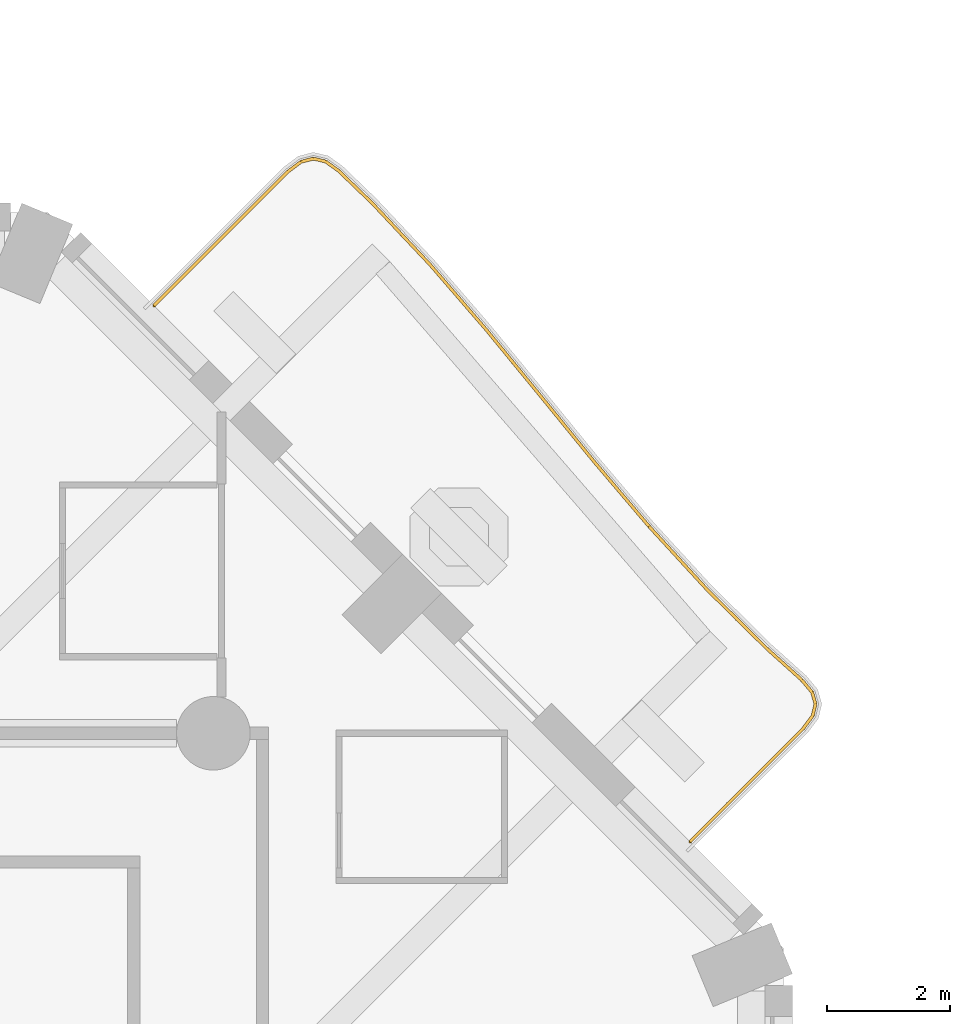
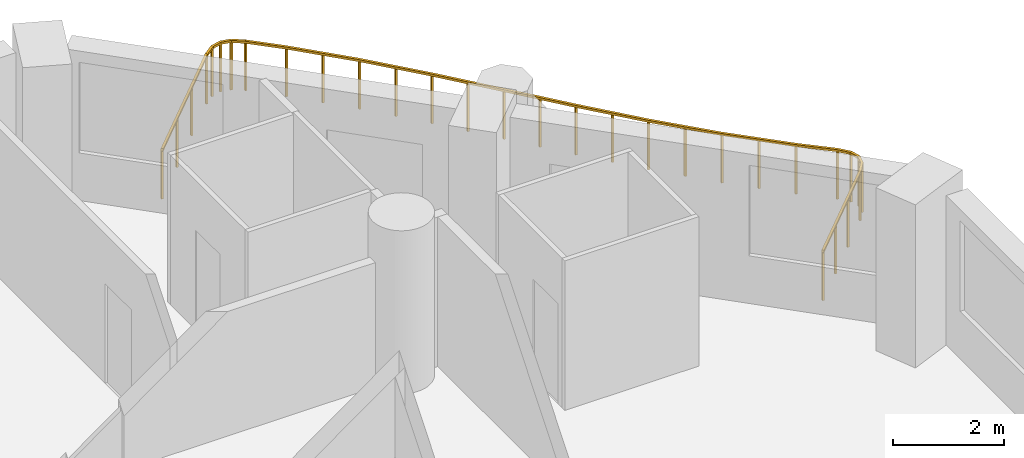
# One storey, part 19 of 20: 1 railing.
"""IFC4 building model written with IfcOpenShell, lengths in metres."""

from ifc_helpers import new_model, si_unit, direction, frame, origin, origin_2d, place, context, subcontext, project, spatial, rectangle, extrude, material, type_object, element, save


model = new_model("IFC4")

# Units and contexts
model_context = context("Model", 3, precision=1e-05, world=origin(), true_north=direction((0.0, 1.0)))
body_context = subcontext(model_context, "Body", "Model", "MODEL_VIEW")
ifc_project = project(units=[si_unit("LENGTHUNIT", "METRE"), si_unit("AREAUNIT", "SQUARE_METRE"), si_unit("VOLUMEUNIT", "CUBIC_METRE"), si_unit("PLANEANGLEUNIT", "RADIAN"), si_unit("MASSUNIT", "GRAM", prefix="KILO")], contexts=[model_context])

# Site, building, storey
site_placement = place(None, origin())
site = spatial("IfcSite", under=ifc_project, at=site_placement, CompositionType="ELEMENT")
building_placement = place(site_placement, origin())
building = spatial("IfcBuilding", under=site, at=building_placement, Name="Cypress Arch Tower", CompositionType="ELEMENT")
storey_placement = place(building_placement, frame((0.0, 0.0, 62.699951171875)))
storey = spatial("IfcBuildingStorey", under=building, at=storey_placement, Name="L09", CompositionType="ELEMENT", Elevation=62.699951171875)

# Railing
ifc_material = material(Name="Powder-coated steel posts and rods, 100 mm clear between rods", Category="steel")
railing_type = type_object("IfcRailingType", Name="Balcony guard GR1100", PredefinedType="GUARDRAIL", material=ifc_material)
railing_placement = place(storey_placement, frame((14.33251953125, 24.479736328125, 0.0)))
element("IfcRailing", 1, at=railing_placement, inside=storey, type_object=railing_type, Name="Balcony guard L09-A07", PredefinedType="GUARDRAIL", context=body_context, shape_type="SweptSolid", body=[
    extrude(rectangle(XDim=0.050048828125, YDim=0.050048828125, at=origin_2d()), frame((0.0, 0.0, 1.0751953125), z_axis=(0.707106781187, 0.707106781187, 0.0), x_axis=(-0.707106781187, 0.707106781187, 0.0)), (0.0, 0.0, 1.0), 3.095947265625),
    extrude(rectangle(XDim=0.050048828125, YDim=0.050048828125, at=origin_2d()), frame((2.189208984375, 2.189208984375, 1.0751953125), z_axis=(0.799553516294, 0.600594850612, 0.0), x_axis=(-0.600594850612, 0.799553516294, 0.0)), (0.0, 0.0, 1.0), 0.2626953125),
    extrude(rectangle(XDim=0.050048828125, YDim=0.050048828125, at=origin_2d()), frame((2.399169921875, 2.346923828125, 1.0751953125), z_axis=(0.968881633372, 0.247524504876, 0.0), x_axis=(-0.247524504876, 0.968881633372, 0.0)), (0.0, 0.0, 1.0), 0.20703125),
    extrude(rectangle(XDim=0.050048828125, YDim=0.050048828125, at=origin_2d()), frame((2.599853515625, 2.398193359375, 1.0751953125), z_axis=(0.973448108617, -0.228907797663, 0.0), x_axis=(0.228907797663, 0.973448108617, 0.0)), (0.0, 0.0, 1.0), 0.20703125),
    extrude(rectangle(XDim=0.050048828125, YDim=0.050048828125, at=origin_2d()), frame((2.80126953125, 2.350830078125, 1.0751953125), z_axis=(0.810899611645, -0.585185286754, 0.0), x_axis=(0.585185286754, 0.810899611645, 0.0)), (0.0, 0.0, 1.0), 0.262939453125),
    extrude(rectangle(XDim=0.050048828125, YDim=0.050048828125, at=origin_2d()), frame((3.014404296875, 2.197021484375, 1.0751953125), z_axis=(0.720355998926, -0.69360452335, 0.0), x_axis=(0.69360452335, 0.720355998926, 0.0)), (0.0, 0.0, 1.0), 0.757568359375),
    extrude(rectangle(XDim=0.050048828125, YDim=0.050048828125, at=origin_2d()), frame((3.56005859375, 1.671630859375, 1.0751953125), z_axis=(0.685166579396, -0.728386407396, 0.0), x_axis=(0.728386407396, 0.685166579396, 0.0)), (0.0, 0.0, 1.0), 1.384033203125),
    extrude(rectangle(XDim=0.050048828125, YDim=0.050048828125, at=origin_2d()), frame((4.50830078125, 0.66357421875, 1.0751953125), z_axis=(0.653670260546, -0.756779486032, 0.0), x_axis=(0.756779486032, 0.653670260546, 0.0)), (0.0, 0.0, 1.0), 1.387451171875),
    extrude(rectangle(XDim=0.050048828125, YDim=0.050048828125, at=origin_2d()), frame((5.415283203125, -0.386474609375, 1.0751953125), z_axis=(0.634020842413, -0.773315958316, 0.0), x_axis=(0.773315958316, 0.634020842413, 0.0)), (0.0, 0.0, 1.0), 1.3916015625),
    extrude(rectangle(XDim=0.050048828125, YDim=0.050048828125, at=origin_2d()), frame((6.297607421875, -1.462646484375, 1.0751953125), z_axis=(0.631700253545, -0.775212738331, 0.0), x_axis=(0.775212738331, 0.631700253545, 0.0)), (0.0, 0.0, 1.0), 1.393310546875),
    extrude(rectangle(XDim=0.050048828125, YDim=0.050048828125, at=origin_2d()), frame((7.177734375, -2.542724609375, 1.0751953125), z_axis=(0.647128880235, -0.762380621714, 0.0), x_axis=(0.762380621714, 0.647128880235, 0.0)), (0.0, 0.0, 1.0), 1.391845703125),
    extrude(rectangle(XDim=0.050048828125, YDim=0.050048828125, at=origin_2d()), frame((8.078369140625, -3.603759765625, 1.0751953125), z_axis=(0.676321324947, -0.736606723715, 0.0), x_axis=(0.736606723715, 0.676321324947, 0.0)), (0.0, 0.0, 1.0), 1.38916015625),
    extrude(rectangle(XDim=0.050048828125, YDim=0.050048828125, at=origin_2d()), frame((9.017822265625, -4.626953125, 1.0751953125), z_axis=(0.711490453181, -0.702695762783, 0.0), x_axis=(0.702695762783, 0.711490453181, 0.0)), (0.0, 0.0, 1.0), 1.387939453125),
    extrude(rectangle(XDim=0.050048828125, YDim=0.050048828125, at=origin_2d()), frame((10.00537109375, -5.602294921875, 1.0751953125), z_axis=(0.744107305019, -0.66806011602, 0.0), x_axis=(0.66806011602, 0.744107305019, 0.0)), (0.0, 0.0, 1.0), 0.7607421875),
    extrude(rectangle(XDim=0.050048828125, YDim=0.050048828125, at=origin_2d()), frame((10.571533203125, -6.110595703125, 1.0751953125), z_axis=(0.640831134515, -0.767681872286, 0.0), x_axis=(0.767681872286, 0.640831134515, 0.0)), (0.0, 0.0, 1.0), 0.259765625),
    extrude(rectangle(XDim=0.050048828125, YDim=0.050048828125, at=origin_2d()), frame((10.738037109375, -6.31005859375, 1.0751953125), z_axis=(0.281367974892, -0.959599949304, 0.0), x_axis=(0.959599949304, 0.281367974892, 0.0)), (0.0, 0.0, 1.0), 0.19873046875),
    extrude(rectangle(XDim=0.050048828125, YDim=0.050048828125, at=origin_2d()), frame((10.7939453125, -6.500732421875, 1.0751953125), z_axis=(-0.230067825037, -0.973174596813, 0.0), x_axis=(0.973174596813, -0.230067825037, 0.0)), (0.0, 0.0, 1.0), 0.198486328125),
    extrude(rectangle(XDim=0.050048828125, YDim=0.050048828125, at=origin_2d()), frame((10.748291015625, -6.69384765625, 1.0751953125), z_axis=(-0.598796089029, -0.800901519392, 0.0), x_axis=(0.800901519392, -0.598796089029, 0.0)), (0.0, 0.0, 1.0), 0.259765625),
    extrude(rectangle(XDim=0.050048828125, YDim=0.050048828125, at=origin_2d()), frame((10.5927734375, -6.90185546875, 1.0751953125), z_axis=(-0.707106781187, -0.707106781187, 0.0), x_axis=(0.707106781187, -0.707106781187, 0.0)), (0.0, 0.0, 1.0), 2.60986328125),
    extrude(rectangle(XDim=0.0400390625, YDim=0.0400390625, at=origin_2d()), origin(), (0.0, 0.0, 1.0), 1.050048828125),
    extrude(rectangle(XDim=0.0400390625, YDim=0.0400390625, at=origin_2d()), frame((0.729736328125, 0.729736328125, 0.0)), (0.0, 0.0, 1.0), 1.050048828125),
    extrude(rectangle(XDim=0.0400390625, YDim=0.0400390625, at=origin_2d()), frame((1.45947265625, 1.45947265625, 0.0)), (0.0, 0.0, 1.0), 1.050048828125),
    extrude(rectangle(XDim=0.0400390625, YDim=0.0400390625, at=origin_2d()), frame((2.189208984375, 2.189208984375, 0.0)), (0.0, 0.0, 1.0), 1.050048828125),
    extrude(rectangle(XDim=0.0400390625, YDim=0.0400390625, at=origin_2d()), frame((2.399169921875, 2.346923828125, 0.0)), (0.0, 0.0, 1.0), 1.050048828125),
    extrude(rectangle(XDim=0.0400390625, YDim=0.0400390625, at=origin_2d()), frame((2.599853515625, 2.398193359375, 0.0)), (0.0, 0.0, 1.0), 1.050048828125),
    extrude(rectangle(XDim=0.0400390625, YDim=0.0400390625, at=origin_2d()), frame((2.80126953125, 2.350830078125, 0.0)), (0.0, 0.0, 1.0), 1.050048828125),
    extrude(rectangle(XDim=0.0400390625, YDim=0.0400390625, at=origin_2d()), frame((3.014404296875, 2.197021484375, 0.0)), (0.0, 0.0, 1.0), 1.050048828125),
    extrude(rectangle(XDim=0.0400390625, YDim=0.0400390625, at=origin_2d()), frame((3.56005859375, 1.671630859375, 0.0)), (0.0, 0.0, 1.0), 1.050048828125),
    extrude(rectangle(XDim=0.0400390625, YDim=0.0400390625, at=origin_2d()), frame((4.0341796875, 1.16748046875, 0.0)), (0.0, 0.0, 1.0), 1.050048828125),
    extrude(rectangle(XDim=0.0400390625, YDim=0.0400390625, at=origin_2d()), frame((4.50830078125, 0.66357421875, 0.0)), (0.0, 0.0, 1.0), 1.050048828125),
    extrude(rectangle(XDim=0.0400390625, YDim=0.0400390625, at=origin_2d()), frame((4.9619140625, 0.138671875, 0.0)), (0.0, 0.0, 1.0), 1.050048828125),
    extrude(rectangle(XDim=0.0400390625, YDim=0.0400390625, at=origin_2d()), frame((5.415283203125, -0.386474609375, 0.0)), (0.0, 0.0, 1.0), 1.050048828125),
    extrude(rectangle(XDim=0.0400390625, YDim=0.0400390625, at=origin_2d()), frame((5.8564453125, -0.924560546875, 0.0)), (0.0, 0.0, 1.0), 1.050048828125),
    extrude(rectangle(XDim=0.0400390625, YDim=0.0400390625, at=origin_2d()), frame((6.297607421875, -1.462646484375, 0.0)), (0.0, 0.0, 1.0), 1.050048828125),
    extrude(rectangle(XDim=0.0400390625, YDim=0.0400390625, at=origin_2d()), frame((6.73779296875, -2.002685546875, 0.0)), (0.0, 0.0, 1.0), 1.050048828125),
    extrude(rectangle(XDim=0.0400390625, YDim=0.0400390625, at=origin_2d()), frame((7.177734375, -2.542724609375, 0.0)), (0.0, 0.0, 1.0), 1.050048828125),
    extrude(rectangle(XDim=0.0400390625, YDim=0.0400390625, at=origin_2d()), frame((7.6279296875, -3.0732421875, 0.0)), (0.0, 0.0, 1.0), 1.050048828125),
    extrude(rectangle(XDim=0.0400390625, YDim=0.0400390625, at=origin_2d()), frame((8.078369140625, -3.603759765625, 0.0)), (0.0, 0.0, 1.0), 1.050048828125),
    extrude(rectangle(XDim=0.0400390625, YDim=0.0400390625, at=origin_2d()), frame((8.548095703125, -4.115234375, 0.0)), (0.0, 0.0, 1.0), 1.050048828125),
    extrude(rectangle(XDim=0.0400390625, YDim=0.0400390625, at=origin_2d()), frame((9.017822265625, -4.626953125, 0.0)), (0.0, 0.0, 1.0), 1.050048828125),
    extrude(rectangle(XDim=0.0400390625, YDim=0.0400390625, at=origin_2d()), frame((9.51171875, -5.11474609375, 0.0)), (0.0, 0.0, 1.0), 1.050048828125),
    extrude(rectangle(XDim=0.0400390625, YDim=0.0400390625, at=origin_2d()), frame((10.00537109375, -5.602294921875, 0.0)), (0.0, 0.0, 1.0), 1.050048828125),
    extrude(rectangle(XDim=0.0400390625, YDim=0.0400390625, at=origin_2d()), frame((10.571533203125, -6.110595703125, 0.0)), (0.0, 0.0, 1.0), 1.050048828125),
    extrude(rectangle(XDim=0.0400390625, YDim=0.0400390625, at=origin_2d()), frame((10.738037109375, -6.31005859375, 0.0)), (0.0, 0.0, 1.0), 1.050048828125),
    extrude(rectangle(XDim=0.0400390625, YDim=0.0400390625, at=origin_2d()), frame((10.7939453125, -6.500732421875, 0.0)), (0.0, 0.0, 1.0), 1.050048828125),
    extrude(rectangle(XDim=0.0400390625, YDim=0.0400390625, at=origin_2d()), frame((10.748291015625, -6.69384765625, 0.0)), (0.0, 0.0, 1.0), 1.050048828125),
    extrude(rectangle(XDim=0.0400390625, YDim=0.0400390625, at=origin_2d()), frame((10.5927734375, -6.90185546875, 0.0)), (0.0, 0.0, 1.0), 1.050048828125),
    extrude(rectangle(XDim=0.0400390625, YDim=0.0400390625, at=origin_2d()), frame((9.9775390625, -7.51708984375, 0.0)), (0.0, 0.0, 1.0), 1.050048828125),
    extrude(rectangle(XDim=0.0400390625, YDim=0.0400390625, at=origin_2d()), frame((9.362548828125, -8.132080078125, 0.0)), (0.0, 0.0, 1.0), 1.050048828125),
    extrude(rectangle(XDim=0.0400390625, YDim=0.0400390625, at=origin_2d()), frame((8.747314453125, -8.747314453125, 0.0)), (0.0, 0.0, 1.0), 1.050048828125),
])

save(model, "model.ifc")
